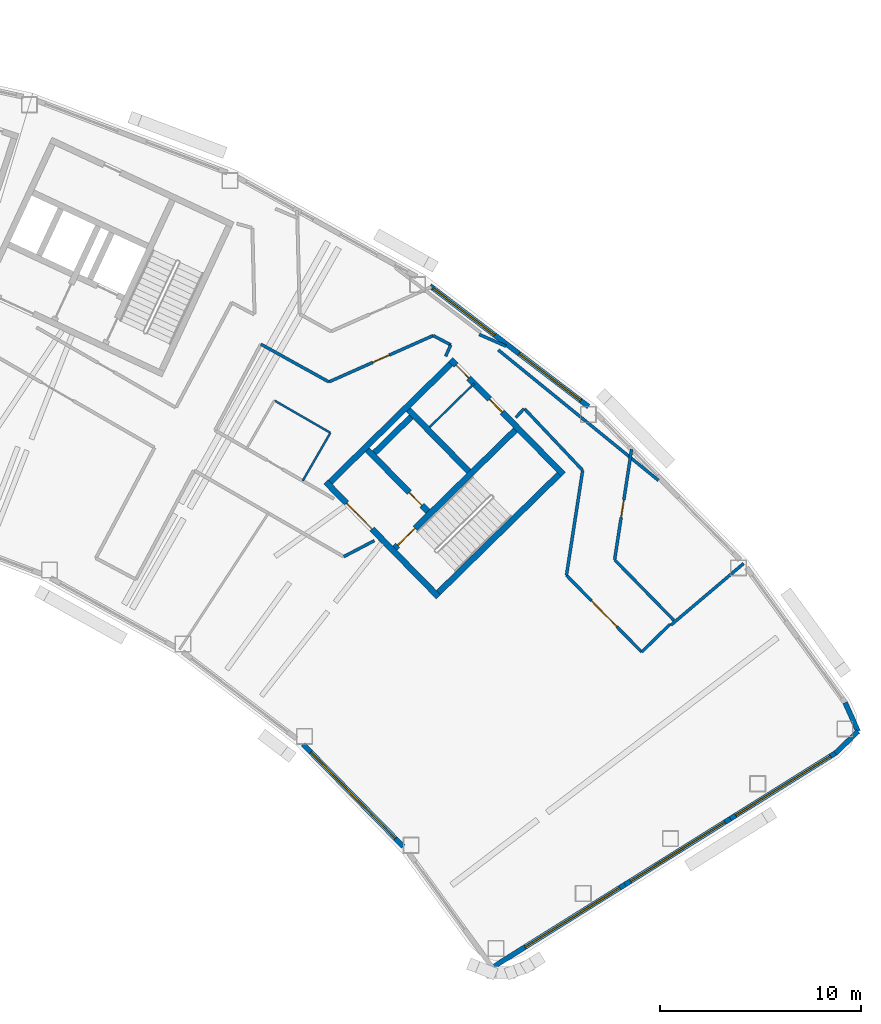
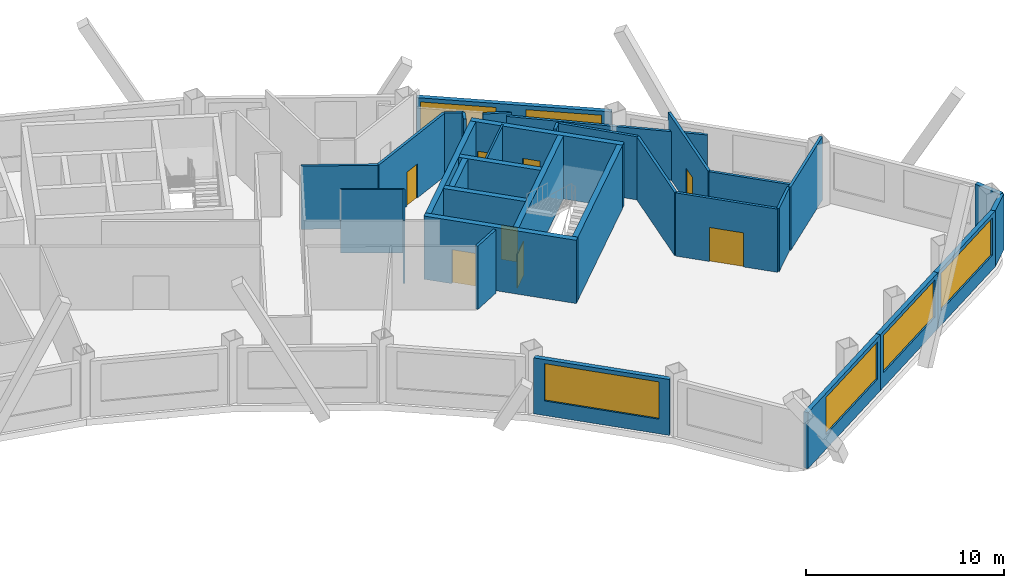
# One storey, part 8 of 13: 33 walls, 8 doors, 6 windows, 14 openings.
"""IFC4 building model written with IfcOpenShell, lengths in metres."""

from ifc_helpers import new_model, si_unit, direction, frame, frame_2d, origin, place, context, subcontext, project, spatial, rectangle, extrude, material, layer, layer_set, type_object, element, fill, save


model = new_model("IFC4")

# Units and contexts
model_context = context("Model", 3, precision=1e-05, world=origin(), true_north=direction((0.0, 1.0)))
body_context = subcontext(model_context, "Body", "Model", "MODEL_VIEW")
ifc_project = project(units=[si_unit("LENGTHUNIT", "METRE"), si_unit("AREAUNIT", "SQUARE_METRE"), si_unit("VOLUMEUNIT", "CUBIC_METRE"), si_unit("PLANEANGLEUNIT", "RADIAN"), si_unit("MASSUNIT", "GRAM", prefix="KILO")], contexts=[model_context])

# Site, building, storey
site_placement = place(None, origin())
site = spatial("IfcSite", under=ifc_project, at=site_placement, CompositionType="ELEMENT")
building_placement = place(site_placement, origin())
building = spatial("IfcBuilding", under=site, at=building_placement, Name="Tuul Gate Civic Tower", CompositionType="ELEMENT")
storey_placement = place(building_placement, frame((0.0, 0.0, 285.800048828125)))
storey = spatial("IfcBuildingStorey", under=building, at=storey_placement, Name="Level 64", CompositionType="ELEMENT", Elevation=285.800048828125)

# Wall, opening, door
ifc_material_1 = material(Name="Concrete C50/60", Category="concrete")
ifc_layer_1 = layer(ifc_material_1, 0.300048828125)
ifc_layer_set_1 = layer_set([ifc_layer_1], Name="Concrete C50/60")
wall_type_1 = type_object("IfcWallType", Name="Core wall C50/60", PredefinedType="SHEAR", material=ifc_layer_set_1)
wall_1_placement = place(storey_placement, frame((48.22509765625, -18.327880859375, 0.0), z_axis=(0.0, 0.0, 1.0), x_axis=(-0.700021979774, 0.714121297703, 0.0)))
wall_1 = element("IfcWall", 1, at=wall_1_placement, inside=storey, type_object=wall_type_1, Name="Core wall", PredefinedType="SHEAR", context=body_context, shape_type="SweptSolid", body=[
    extrude(rectangle(XDim=8.0, YDim=0.300048828125, at=frame_2d((4.0, 0.0))), origin(), (0.0, 0.0, 1.0), 3.89990234375),
])
opening_1_placement = place(wall_1_placement, frame((4.72509765625, 0.0, 0.0)))
opening_1 = element("IfcOpeningElement", 2, at=opening_1_placement, cuts=wall_1, Name="Opening LB-E1-LOBBY-1", PredefinedType="OPENING", context=body_context, shape_type="SweptSolid", body=[
    extrude(rectangle(XDim=1.800048828125, YDim=2.10009765625, at=frame_2d((0.89990234375, 1.050048828125))), frame((0.0, 0.16015625, 0.0), z_axis=(0.0, -1.0, 0.0), x_axis=(1.0, 0.0, 0.0)), (0.0, 0.0, 1.0), 0.320068359375),
])
ifc_material_2 = material(Name="Steel", Category="steel")
door_type_1 = type_object("IfcDoorType", Name="Lobby door", OperationType="DOUBLE_DOOR_SINGLE_SWING", PredefinedType="DOOR", material=ifc_material_2)
door_1_placement = place(opening_1_placement, frame((1.800048828125, 0.0, 0.0), z_axis=(0.0, 0.0, 1.0), x_axis=(-1.0, 0.0, 0.0)))
door_1 = element("IfcDoor", 3, at=door_1_placement, inside=storey, type_object=door_type_1, Name="Lobby door E1-LOBBY", OperationType="DOUBLE_DOOR_SINGLE_SWING", OverallHeight=2.10009765625, OverallWidth=1.800048828125, PredefinedType="DOOR", context=body_context, shape_type="SweptSolid", body=[
    extrude(rectangle(XDim=1.800048828125, YDim=2.10009765625, at=frame_2d((0.900146484375, 1.050048828125))), frame((0.0, 0.02490234375, 0.0), z_axis=(0.0, -1.0, 0.0), x_axis=(1.0, 0.0, 0.0)), (0.0, 0.0, 1.0), 0.050048828125),
])
fill(opening_1, door_1)

wall_2_placement = place(storey_placement, frame((47.701904296875, -14.079833984375, 0.0), z_axis=(0.0, 0.0, 1.0), x_axis=(-0.700002721075, 0.714140175657, 0.0)))
wall_2 = element("IfcWall", 4, at=wall_2_placement, inside=storey, type_object=wall_type_1, Name="Core wall", PredefinedType="SHEAR", context=body_context, shape_type="SweptSolid", body=[
    extrude(rectangle(XDim=4.300048828125, YDim=0.300048828125, at=frame_2d((2.14990234375, 0.0))), origin(), (0.0, 0.0, 1.0), 3.89990234375),
])
opening_2_placement = place(wall_2_placement, frame((0.425048828125, 0.0, 0.0)))
opening_2 = element("IfcOpeningElement", 5, at=opening_2_placement, cuts=wall_2, Name="Opening FB-E1A1", PredefinedType="OPENING", context=body_context, shape_type="SweptSolid", body=[
    extrude(rectangle(XDim=0.89990234375, YDim=2.10009765625, at=frame_2d((0.449951171875, 1.050048828125))), frame((0.0, 0.16015625, 0.0), z_axis=(0.0, -1.0, 0.0), x_axis=(1.0, 0.0, 0.0)), (0.0, 0.0, 1.0), 0.320068359375),
])
ifc_material_3 = material(Name="Steel", Category="steel")
door_type_2 = type_object("IfcDoorType", Name="Store door", OperationType="NOTDEFINED", PredefinedType="DOOR", material=ifc_material_3)
door_2_placement = place(opening_2_placement, frame((0.89990234375, 0.0, 0.0), z_axis=(0.0, 0.0, 1.0), x_axis=(-1.0, 0.0, 0.0)))
door_2 = element("IfcDoor", 6, at=door_2_placement, inside=storey, type_object=door_type_2, Name="Store door E1A1", OperationType="SINGLE_SWING_RIGHT", OverallHeight=2.10009765625, OverallWidth=0.89990234375, PredefinedType="DOOR", context=body_context, shape_type="SweptSolid", body=[
    extrude(rectangle(XDim=0.89990234375, YDim=2.10009765625, at=frame_2d((0.449951171875, 1.050048828125))), frame((0.0, 0.02490234375, 0.0), z_axis=(0.0, -1.0, 0.0), x_axis=(1.0, 0.0, 0.0)), (0.0, 0.0, 1.0), 0.050048828125),
])
fill(opening_2, door_2)

# Wall
wall_3_placement = place(storey_placement, frame((49.737060546875, -12.0849609375, 0.0), z_axis=(0.0, 0.0, 1.0), x_axis=(-0.700002721075, 0.714140175657, 0.0)))
element("IfcWall", 7, at=wall_3_placement, inside=storey, type_object=wall_type_1, Name="Core wall", PredefinedType="SHEAR", context=body_context, shape_type="SweptSolid", body=[
    extrude(rectangle(XDim=4.300048828125, YDim=0.300048828125, at=frame_2d((2.14990234375, 0.0))), origin(), (0.0, 0.0, 1.0), 3.89990234375),
])

# Wall, openings, doors
wall_4_placement = place(storey_placement, frame((54.43798828125, -12.23779296875, 0.0), z_axis=(0.0, 0.0, 1.0), x_axis=(-0.700021979774, 0.714121297703, 0.0)))
wall_4 = element("IfcWall", 8, at=wall_4_placement, inside=storey, type_object=wall_type_1, Name="Core wall", PredefinedType="SHEAR", context=body_context, shape_type="SweptSolid", body=[
    extrude(rectangle(XDim=8.0, YDim=0.300048828125, at=frame_2d((4.0, 0.0))), origin(), (0.0, 0.0, 1.0), 3.89990234375),
])
opening_3_placement = place(wall_4_placement, frame((4.34375, 0.0, 0.0)))
opening_3 = element("IfcOpeningElement", 9, at=opening_3_placement, cuts=wall_4, Name="Opening X-D21", PredefinedType="OPENING", context=body_context, shape_type="SweptSolid", body=[
    extrude(rectangle(XDim=0.89990234375, YDim=2.10009765625, at=frame_2d((0.449951171875, 1.050048828125))), frame((0.0, 0.16015625, 0.0), z_axis=(0.0, -1.0, 0.0), x_axis=(1.0, 0.0, 0.0)), (0.0, 0.0, 1.0), 0.320068359375),
])
opening_4_placement = place(wall_4_placement, frame((6.71875, 0.0, 0.0)))
opening_4 = element("IfcOpeningElement", 10, at=opening_4_placement, cuts=wall_4, Name="Opening X-D22", PredefinedType="OPENING", context=body_context, shape_type="SweptSolid", body=[
    extrude(rectangle(XDim=0.89990234375, YDim=2.10009765625, at=frame_2d((0.449951171875, 1.050048828125))), frame((0.0, 0.16015625, 0.0), z_axis=(0.0, -1.0, 0.0), x_axis=(1.0, 0.0, 0.0)), (0.0, 0.0, 1.0), 0.320068359375),
])
ifc_material_4 = material(Name="Timber door leaf", Category="wood")
door_type_3 = type_object("IfcDoorType", Name="Door D09", OperationType="NOTDEFINED", PredefinedType="DOOR", material=ifc_material_4)
door_3_placement = place(opening_3_placement, origin())
door_3 = element("IfcDoor", 11, at=door_3_placement, inside=storey, type_object=door_type_3, Name="Door X-D21", OperationType="SINGLE_SWING_LEFT", OverallHeight=2.10009765625, OverallWidth=0.89990234375, PredefinedType="DOOR", context=body_context, shape_type="SweptSolid", body=[
    extrude(rectangle(XDim=0.89990234375, YDim=2.10009765625, at=frame_2d((0.449951171875, 1.050048828125))), frame((0.0, 0.02490234375, 0.0), z_axis=(0.0, -1.0, 0.0), x_axis=(1.0, 0.0, 0.0)), (0.0, 0.0, 1.0), 0.050048828125),
])
fill(opening_3, door_3)
door_4_placement = place(opening_4_placement, origin())
door_4 = element("IfcDoor", 12, at=door_4_placement, inside=storey, type_object=door_type_3, Name="Door X-D22", OperationType="SINGLE_SWING_LEFT", OverallHeight=2.10009765625, OverallWidth=0.89990234375, PredefinedType="DOOR", context=body_context, shape_type="SweptSolid", body=[
    extrude(rectangle(XDim=0.89990234375, YDim=2.10009765625, at=frame_2d((0.449951171875, 1.050048828125))), frame((0.0, 0.02490234375, 0.0), z_axis=(0.0, -1.0, 0.0), x_axis=(1.0, 0.0, 0.0)), (0.0, 0.0, 1.0), 0.050048828125),
])
fill(opening_4, door_4)

# Wall
wall_5_placement = place(storey_placement, frame((48.227294921875, -18.115966796875, 0.0), z_axis=(0.0, 0.0, 1.0), x_axis=(0.714105315431, 0.700038283577, 0.0)))
element("IfcWall", 13, at=wall_5_placement, inside=storey, type_object=wall_type_1, Name="Core wall", PredefinedType="SHEAR", context=body_context, shape_type="SweptSolid", body=[
    extrude(rectangle(XDim=8.400146484375, YDim=0.300048828125, at=frame_2d((4.2001953125, 0.0))), origin(), (0.0, 0.0, 1.0), 3.89990234375),
])

# Wall, opening, door
wall_6_placement = place(storey_placement, frame((46.05712890625, -15.902099609375, 0.0), z_axis=(0.0, 0.0, 1.0), x_axis=(0.714134086973, 0.700008932674, 0.0)))
wall_6 = element("IfcWall", 14, at=wall_6_placement, inside=storey, type_object=wall_type_1, Name="Core wall", PredefinedType="SHEAR", context=body_context, shape_type="SweptSolid", body=[
    extrude(rectangle(XDim=8.400146484375, YDim=0.300048828125, at=frame_2d((4.2001953125, 0.0))), origin(), (0.0, 0.0, 1.0), 3.89990234375),
])
opening_5_placement = place(wall_6_placement, frame((0.199951171875, 0.0, 0.0)))
opening_5 = element("IfcOpeningElement", 15, at=opening_5_placement, cuts=wall_6, Name="Opening SD-ST-3", PredefinedType="OPENING", context=body_context, shape_type="SweptSolid", body=[
    extrude(rectangle(XDim=1.199951171875, YDim=2.10009765625, at=frame_2d((0.60009765625, 1.050048828125))), frame((0.0, 0.16015625, 0.0), z_axis=(0.0, -1.0, 0.0), x_axis=(1.0, 0.0, 0.0)), (0.0, 0.0, 1.0), 0.320068359375),
])
ifc_material_5 = material(Name="Steel", Category="steel")
door_type_4 = type_object("IfcDoorType", Name="Stair door", OperationType="NOTDEFINED", PredefinedType="DOOR", material=ifc_material_5)
door_5_placement = place(opening_5_placement, origin())
door_5 = element("IfcDoor", 16, at=door_5_placement, inside=storey, type_object=door_type_4, Name="Stair door ST-3", OperationType="SINGLE_SWING_LEFT", OverallHeight=2.10009765625, OverallWidth=1.199951171875, PredefinedType="DOOR", context=body_context, shape_type="SweptSolid", body=[
    extrude(rectangle(XDim=1.199951171875, YDim=2.10009765625, at=frame_2d((0.60009765625, 1.050048828125))), frame((0.0, 0.02490234375, 0.0), z_axis=(0.0, -1.0, 0.0), x_axis=(1.0, 0.0, 0.0)), (0.0, 0.0, 1.0), 0.050048828125),
])
fill(opening_5, door_5)

# Walls
wall_7_placement = place(storey_placement, frame((45.0439453125, -11.154052734375, 0.0), z_axis=(0.0, 0.0, 1.0), x_axis=(0.714108498262, 0.700035036773, 0.0)))
element("IfcWall", 17, at=wall_7_placement, inside=storey, type_object=wall_type_1, Name="Core wall", PredefinedType="SHEAR", context=body_context, shape_type="SweptSolid", body=[
    extrude(rectangle(XDim=2.550048828125, YDim=0.300048828125, at=frame_2d((1.27490234375, 0.0))), origin(), (0.0, 0.0, 1.0), 3.89990234375),
])
wall_8_placement = place(storey_placement, frame((42.837158203125, -12.616943359375, 0.0), z_axis=(0.0, 0.0, 1.0), x_axis=(0.714119844755, 0.700023461983, 0.0)))
element("IfcWall", 18, at=wall_8_placement, inside=storey, type_object=wall_type_1, Name="Core wall", PredefinedType="SHEAR", context=body_context, shape_type="SweptSolid", body=[
    extrude(rectangle(XDim=8.39990234375, YDim=0.300048828125, at=frame_2d((4.199951171875, 0.0))), origin(), (0.0, 0.0, 1.0), 3.89990234375),
])
ifc_material_6 = material(Name="Gypsum board partition")
ifc_layer_2 = layer(ifc_material_6, 0.14990234375)
ifc_layer_set_2 = layer_set([ifc_layer_2], Name="Gypsum board partition")
wall_type_2 = type_object("IfcWallType", Name="Corridor wall P150", PredefinedType="PARTITIONING", material=ifc_layer_set_2)
wall_9_placement = place(storey_placement, frame((58.34130859375, -21.0751953125, 0.0), z_axis=(0.0, 0.0, 1.0), x_axis=(0.714144599539, 0.699998207819, 0.0)))
element("IfcWall", 19, at=wall_9_placement, inside=storey, type_object=wall_type_2, Name="p012", PredefinedType="PARTITIONING", context=body_context, shape_type="SweptSolid", body=[
    extrude(rectangle(XDim=1.967529296875, YDim=0.14990234375, at=frame_2d((0.98388671875, 0.0))), origin(), (0.0, 0.0, 1.0), 3.89990234375),
])
wall_10_placement = place(storey_placement, frame((57.000732421875, -16.493408203125, 0.0), z_axis=(0.0, 0.0, 1.0), x_axis=(0.699996028696, -0.71414673549, 0.0)))
element("IfcWall", 20, at=wall_10_placement, inside=storey, type_object=wall_type_2, Name="p013", PredefinedType="PARTITIONING", context=body_context, shape_type="SweptSolid", body=[
    extrude(rectangle(XDim=4.209716796875, YDim=0.14990234375, at=frame_2d((2.10498046875, 0.0))), origin(), (0.0, 0.0, 1.0), 3.89990234375),
])

# Wall, opening, door
wall_11_placement = place(storey_placement, frame((56.994873046875, -16.4755859375, 0.0), z_axis=(0.0, 0.0, 1.0), x_axis=(0.152318138221, 0.988331515621, 0.0)))
wall_11 = element("IfcWall", 21, at=wall_11_placement, inside=storey, type_object=wall_type_2, Name="p014", PredefinedType="PARTITIONING", context=body_context, shape_type="SweptSolid", body=[
    extrude(rectangle(XDim=5.5537109375, YDim=0.14990234375, at=frame_2d((2.77685546875, 0.0))), origin(), (0.0, 0.0, 1.0), 3.89990234375),
])
opening_6_placement = place(wall_11_placement, frame((2.120361328125, 0.0, 0.0)))
opening_6 = element("IfcOpeningElement", 22, at=opening_6_placement, cuts=wall_11, Name="Opening X-D02", PredefinedType="OPENING", context=body_context, shape_type="SweptSolid", body=[
    extrude(rectangle(XDim=0.89990234375, YDim=2.10009765625, at=frame_2d((0.449951171875, 1.050048828125))), frame((0.0, 0.0849609375, 0.0), z_axis=(0.0, -1.0, 0.0), x_axis=(1.0, 0.0, 0.0)), (0.0, 0.0, 1.0), 0.169921875),
])
door_6_placement = place(opening_6_placement, frame((0.89990234375, 0.0, 0.0), z_axis=(0.0, 0.0, 1.0), x_axis=(-1.0, 0.0, 0.0)))
door_6 = element("IfcDoor", 23, at=door_6_placement, inside=storey, type_object=door_type_3, Name="Door X-D02", OperationType="SINGLE_SWING_LEFT", OverallHeight=2.10009765625, OverallWidth=0.89990234375, PredefinedType="DOOR", context=body_context, shape_type="SweptSolid", body=[
    extrude(rectangle(XDim=0.89990234375, YDim=2.10009765625, at=frame_2d((0.449951171875, 1.050048828125))), frame((0.0, 0.02490234375, 0.0), z_axis=(0.0, -1.0, 0.0), x_axis=(1.0, 0.0, 0.0)), (0.0, 0.0, 1.0), 0.050048828125),
])
fill(opening_6, door_6)

# Walls
wall_12_placement = place(storey_placement, frame((59.793212890625, -19.738037109375, 0.0), z_axis=(0.0, 0.0, 1.0), x_axis=(0.762859034426, 0.646564840982, 0.0)))
element("IfcWall", 24, at=wall_12_placement, inside=storey, type_object=wall_type_2, Name="p016", PredefinedType="PARTITIONING", context=body_context, shape_type="SweptSolid", body=[
    extrude(rectangle(XDim=4.744384765625, YDim=0.14990234375, at=frame_2d((2.3720703125, 0.0))), origin(), (0.0, 0.0, 1.0), 3.89990234375),
])
wall_13_placement = place(storey_placement, frame((52.0791015625, -9.403076171875, 0.0), z_axis=(0.0, 0.0, 1.0), x_axis=(0.677422888488, 0.735593794259, 0.0)))
element("IfcWall", 25, at=wall_13_placement, inside=storey, type_object=wall_type_2, Name="p044", PredefinedType="PARTITIONING", context=body_context, shape_type="SweptSolid", body=[
    extrude(rectangle(XDim=0.591796875, YDim=0.14990234375, at=frame_2d((0.2958984375, 0.0))), origin(), (0.0, 0.0, 1.0), 3.89990234375),
])
wall_14_placement = place(storey_placement, frame((52.505126953125, -8.96484375, 0.0), z_axis=(0.0, 0.0, 1.0), x_axis=(0.686843203752, -0.726805622886, 0.0)))
element("IfcWall", 26, at=wall_14_placement, inside=storey, type_object=wall_type_2, Name="p045", PredefinedType="PARTITIONING", context=body_context, shape_type="SweptSolid", body=[
    extrude(rectangle(XDim=4.209228515625, YDim=0.14990234375, at=frame_2d((2.1044921875, 0.0))), origin(), (0.0, 0.0, 1.0), 3.89990234375),
])
wall_15_placement = place(storey_placement, frame((54.597900390625, -17.256591796875, 0.0), z_axis=(0.0, 0.0, 1.0), x_axis=(0.152321427005, 0.988331008759, 0.0)))
element("IfcWall", 27, at=wall_15_placement, inside=storey, type_object=wall_type_2, Name="p046", PredefinedType="PARTITIONING", context=body_context, shape_type="SweptSolid", body=[
    extrude(rectangle(XDim=5.2763671875, YDim=0.14990234375, at=frame_2d((2.63818359375, 0.0))), origin(), (0.0, 0.0, 1.0), 3.89990234375),
])

# Wall, opening, door
wall_16_placement = place(storey_placement, frame((54.597900390625, -17.256591796875, 0.0), z_axis=(0.0, 0.0, 1.0), x_axis=(0.700040826875, -0.714102822224, 0.0)))
wall_16 = element("IfcWall", 28, at=wall_16_placement, inside=storey, type_object=wall_type_2, Name="p047", PredefinedType="PARTITIONING", context=body_context, shape_type="SweptSolid", body=[
    extrude(rectangle(XDim=5.347412109375, YDim=0.14990234375, at=frame_2d((2.673828125, 0.0))), origin(), (0.0, 0.0, 1.0), 3.89990234375),
])
opening_7_placement = place(wall_16_placement, frame((1.773681640625, 0.0, 0.0)))
opening_7 = element("IfcOpeningElement", 29, at=opening_7_placement, cuts=wall_16, Name="Opening X-D08", PredefinedType="OPENING", context=body_context, shape_type="SweptSolid", body=[
    extrude(rectangle(XDim=1.800048828125, YDim=2.10009765625, at=frame_2d((0.89990234375, 1.050048828125))), frame((0.0, 0.0849609375, 0.0), z_axis=(0.0, -1.0, 0.0), x_axis=(1.0, 0.0, 0.0)), (0.0, 0.0, 1.0), 0.169921875),
])
ifc_material_7 = material(Name="Timber door leaf, double", Category="wood")
door_type_5 = type_object("IfcDoorType", Name="Door D18", OperationType="DOUBLE_DOOR_SINGLE_SWING", PredefinedType="DOOR", material=ifc_material_7)
door_7_placement = place(opening_7_placement, frame((1.800048828125, 0.0, 0.0), z_axis=(0.0, 0.0, 1.0), x_axis=(-1.0, 0.0, 0.0)))
door_7 = element("IfcDoor", 30, at=door_7_placement, inside=storey, type_object=door_type_5, Name="Door X-D08", OperationType="DOUBLE_DOOR_SINGLE_SWING", OverallHeight=2.10009765625, OverallWidth=1.800048828125, PredefinedType="DOOR", context=body_context, shape_type="SweptSolid", body=[
    extrude(rectangle(XDim=1.800048828125, YDim=2.10009765625, at=frame_2d((0.900146484375, 1.050048828125))), frame((0.0, 0.02490234375, 0.0), z_axis=(0.0, -1.0, 0.0), x_axis=(1.0, 0.0, 0.0)), (0.0, 0.0, 1.0), 0.050048828125),
])
fill(opening_7, door_7)

# Walls
wall_17_placement = place(storey_placement, frame((43.512451171875, -16.329833984375, 0.0), z_axis=(0.0, 0.0, 1.0), x_axis=(0.885536689091, 0.464569448279, 0.0)))
element("IfcWall", 31, at=wall_17_placement, inside=storey, type_object=wall_type_2, Name="p050", PredefinedType="PARTITIONING", context=body_context, shape_type="SweptSolid", body=[
    extrude(rectangle(XDim=1.718994140625, YDim=0.14990234375, at=frame_2d((0.859375, 0.0))), origin(), (0.0, 0.0, 1.0), 3.89990234375),
])
wall_18_placement = place(storey_placement, frame((48.58447265625, -6.36181640625, 0.0), z_axis=(0.0, 0.0, 1.0), x_axis=(0.402451637343, 0.915441248579, 0.0)))
element("IfcWall", 32, at=wall_18_placement, inside=storey, type_object=wall_type_2, Name="p101", PredefinedType="PARTITIONING", context=body_context, shape_type="SweptSolid", body=[
    extrude(rectangle(XDim=0.627197265625, YDim=0.14990234375, at=frame_2d((0.3134765625, 0.0))), origin(), (0.0, 0.0, 1.0), 3.89990234375),
])
wall_19_placement = place(storey_placement, frame((47.962890625, -5.3251953125, 0.0), z_axis=(0.0, 0.0, 1.0), x_axis=(0.883920008665, -0.467638127489, 0.0)))
element("IfcWall", 33, at=wall_19_placement, inside=storey, type_object=wall_type_2, Name="p102", PredefinedType="PARTITIONING", context=body_context, shape_type="SweptSolid", body=[
    extrude(rectangle(XDim=0.98876953125, YDim=0.14990234375, at=frame_2d((0.494384765625, 0.0))), origin(), (0.0, 0.0, 1.0), 3.89990234375),
])

# Wall, opening, door
wall_20_placement = place(storey_placement, frame((42.772705078125, -7.631103515625, 0.0), z_axis=(0.0, 0.0, 1.0), x_axis=(0.913866493061, 0.406014818522, 0.0)))
wall_20 = element("IfcWall", 34, at=wall_20_placement, inside=storey, type_object=wall_type_2, Name="p103", PredefinedType="PARTITIONING", context=body_context, shape_type="SweptSolid", body=[
    extrude(rectangle(XDim=5.679443359375, YDim=0.14990234375, at=frame_2d((2.83984375, 0.0))), origin(), (0.0, 0.0, 1.0), 3.89990234375),
])
opening_8_placement = place(wall_20_placement, frame((2.3896484375, 0.0, 0.0)))
opening_8 = element("IfcOpeningElement", 35, at=opening_8_placement, cuts=wall_20, Name="Opening X-D17", PredefinedType="OPENING", context=body_context, shape_type="SweptSolid", body=[
    extrude(rectangle(XDim=0.89990234375, YDim=2.10009765625, at=frame_2d((0.449951171875, 1.050048828125))), frame((0.0, 0.0849609375, 0.0), z_axis=(0.0, -1.0, 0.0), x_axis=(1.0, 0.0, 0.0)), (0.0, 0.0, 1.0), 0.169921875),
])
door_8_placement = place(opening_8_placement, frame((0.89990234375, 0.0, 0.0), z_axis=(0.0, 0.0, 1.0), x_axis=(-1.0, 0.0, 0.0)))
door_8 = element("IfcDoor", 36, at=door_8_placement, inside=storey, type_object=door_type_3, Name="Door X-D17", OperationType="SINGLE_SWING_LEFT", OverallHeight=2.10009765625, OverallWidth=0.89990234375, PredefinedType="DOOR", context=body_context, shape_type="SweptSolid", body=[
    extrude(rectangle(XDim=0.89990234375, YDim=2.10009765625, at=frame_2d((0.449951171875, 1.050048828125))), frame((0.0, 0.02490234375, 0.0), z_axis=(0.0, -1.0, 0.0), x_axis=(1.0, 0.0, 0.0)), (0.0, 0.0, 1.0), 0.050048828125),
])
fill(opening_8, door_8)

# Walls
wall_21_placement = place(storey_placement, frame((39.38671875, -5.754150390625, 0.0), z_axis=(0.0, 0.0, 1.0), x_axis=(0.874612012193, -0.484823502036, 0.0)))
element("IfcWall", 37, at=wall_21_placement, inside=storey, type_object=wall_type_2, Name="p104", PredefinedType="PARTITIONING", context=body_context, shape_type="SweptSolid", body=[
    extrude(rectangle(XDim=3.871337890625, YDim=0.14990234375, at=frame_2d((1.935546875, 0.0))), origin(), (0.0, 0.0, 1.0), 3.89990234375),
])
ifc_material_8 = material(Name="Gypsum board partition")
ifc_layer_3 = layer(ifc_material_8, 0.14990234375)
ifc_layer_set_3 = layer_set([ifc_layer_3], Name="Gypsum board partition")
wall_type_3 = type_object("IfcWallType", Name="Corridor wall P150 3000 HIGH", PredefinedType="PARTITIONING", material=ifc_layer_set_3)
wall_22_placement = place(storey_placement, frame((50.258544921875, -5.27001953125, 0.0), z_axis=(0.0, 0.0, 1.0), x_axis=(0.915514728056, -0.402284454974, 0.0)))
element("IfcWall", 38, at=wall_22_placement, inside=storey, type_object=wall_type_3, Name="p002", PredefinedType="PARTITIONING", context=body_context, shape_type="SweptSolid", body=[
    extrude(rectangle(XDim=1.44140625, YDim=0.14990234375, at=frame_2d((0.720703125, 0.0))), origin(), (0.0, 0.0, 1.0), 3.0),
])
wall_23_placement = place(storey_placement, frame((51.200927734375, -6.038330078125, 0.0), z_axis=(0.0, 0.0, 1.0), x_axis=(0.775434697888, -0.631427770462, 0.0)))
element("IfcWall", 39, at=wall_23_placement, inside=storey, type_object=wall_type_3, Name="p004", PredefinedType="PARTITIONING", context=body_context, shape_type="SweptSolid", body=[
    extrude(rectangle(XDim=10.28564453125, YDim=0.14990234375, at=frame_2d((5.142822265625, 0.0))), origin(), (0.0, 0.0, 1.0), 3.0),
])
ifc_material_9 = material(Name="Precast concrete C40/50", Category="concrete")
ifc_layer_4 = layer(ifc_material_9, 0.25)
ifc_layer_set_4 = layer_set([ifc_layer_4], Name="Precast concrete C40/50")
wall_type_4 = type_object("IfcWallType", Name="External wall", PredefinedType="STANDARD", material=ifc_layer_set_4)
wall_24_placement = place(storey_placement, frame((67.978515625, -26.109619140625, 0.0), z_axis=(0.0, 0.0, 1.0), x_axis=(0.722172557321, 0.691712944402, 0.0)))
element("IfcWall", 40, at=wall_24_placement, inside=storey, type_object=wall_type_4, Name="External wall", PredefinedType="STANDARD", context=body_context, shape_type="SweptSolid", body=[
    extrude(rectangle(XDim=1.571044921875, YDim=0.25, at=frame_2d((0.78564453125, 0.0))), origin(), (0.0, 0.0, 1.0), 3.449951171875),
])
wall_25_placement = place(storey_placement, frame((69.113037109375, -25.02294921875, 0.0), z_axis=(0.0, 0.0, 1.0), x_axis=(-0.412385905797, 0.9110092561, 0.0)))
element("IfcWall", 41, at=wall_25_placement, inside=storey, type_object=wall_type_4, Name="External wall", PredefinedType="STANDARD", context=body_context, shape_type="SweptSolid", body=[
    extrude(rectangle(XDim=1.5712890625, YDim=0.25, at=frame_2d((0.78564453125, 0.0))), origin(), (0.0, 0.0, 1.0), 3.449951171875),
])

# Wall, openings, windows
wall_26_placement = place(storey_placement, frame((55.6962890625, -8.85888671875, 0.0), z_axis=(0.0, 0.0, 1.0), x_axis=(-0.795618728328, 0.605797688287, 0.0)))
wall_26 = element("IfcWall", 42, at=wall_26_placement, inside=storey, type_object=wall_type_4, Name="External wall", PredefinedType="STANDARD", context=body_context, shape_type="SweptSolid", body=[
    extrude(rectangle(XDim=9.91748046875, YDim=0.25, at=frame_2d((4.958740234375, 0.0))), origin(), (0.0, 0.0, 1.0), 3.449951171875),
])
opening_9_placement = place(wall_26_placement, frame((0.494140625, 0.0, 0.89990234375)))
opening_9 = element("IfcOpeningElement", 43, at=opening_9_placement, cuts=wall_26, Name="Opening W22", PredefinedType="OPENING", context=body_context, shape_type="SweptSolid", body=[
    extrude(rectangle(XDim=3.85009765625, YDim=2.300048828125, at=frame_2d((1.925048828125, 1.14990234375))), frame((0.0, 0.135009765625, 0.0), z_axis=(0.0, -1.0, 0.0), x_axis=(1.0, 0.0, 0.0)), (0.0, 0.0, 1.0), 0.27001953125),
])
opening_10_placement = place(wall_26_placement, frame((5.865478515625, 0.0, 0.89990234375)))
opening_10 = element("IfcOpeningElement", 44, at=opening_10_placement, cuts=wall_26, Name="Opening W22", PredefinedType="OPENING", context=body_context, shape_type="SweptSolid", body=[
    extrude(rectangle(XDim=3.85009765625, YDim=2.300048828125, at=frame_2d((1.925048828125, 1.14990234375))), frame((0.0, 0.135009765625, 0.0), z_axis=(0.0, -1.0, 0.0), x_axis=(1.0, 0.0, 0.0)), (0.0, 0.0, 1.0), 0.27001953125),
])
ifc_material_10 = material(Name="Glass", Category="glass")
window_type_1 = type_object("IfcWindowType", Name="Window W22 3850 x 2300", PartitioningType="SINGLE_PANEL", PredefinedType="WINDOW", material=ifc_material_10)
window_1_placement = place(opening_9_placement, origin())
window_1 = element("IfcWindow", 45, at=window_1_placement, inside=storey, type_object=window_type_1, Name="Window", OverallHeight=2.300048828125, OverallWidth=3.85009765625, PartitioningType="SINGLE_PANEL", PredefinedType="WINDOW", context=body_context, shape_type="SweptSolid", body=[
    extrude(rectangle(XDim=3.85009765625, YDim=2.300048828125, at=frame_2d((1.925048828125, 1.14990234375))), frame((0.0, 0.030029296875, 0.0), z_axis=(0.0, -1.0, 0.0), x_axis=(1.0, 0.0, 0.0)), (0.0, 0.0, 1.0), 0.06005859375),
])
fill(opening_9, window_1)
window_2_placement = place(opening_10_placement, origin())
window_2 = element("IfcWindow", 46, at=window_2_placement, inside=storey, type_object=window_type_1, Name="Window", OverallHeight=2.300048828125, OverallWidth=3.85009765625, PartitioningType="SINGLE_PANEL", PredefinedType="WINDOW", context=body_context, shape_type="SweptSolid", body=[
    extrude(rectangle(XDim=3.85009765625, YDim=2.300048828125, at=frame_2d((1.925048828125, 1.14990234375))), frame((0.0, 0.030029296875, 0.0), z_axis=(0.0, -1.0, 0.0), x_axis=(1.0, 0.0, 0.0)), (0.0, 0.0, 1.0), 0.06005859375),
])
fill(opening_10, window_2)

# Wall, opening, window
wall_27_placement = place(storey_placement, frame((41.49072265625, -25.6708984375, 0.0), z_axis=(0.0, 0.0, 1.0), x_axis=(0.700033997015, -0.714109517528, 0.0)))
wall_27 = element("IfcWall", 47, at=wall_27_placement, inside=storey, type_object=wall_type_4, Name="External wall", PredefinedType="STANDARD", context=body_context, shape_type="SweptSolid", body=[
    extrude(rectangle(XDim=7.111572265625, YDim=0.25, at=frame_2d((3.5556640625, 0.0))), origin(), (0.0, 0.0, 1.0), 3.449951171875),
])
opening_11_placement = place(wall_27_placement, frame((0.555419921875, 0.0, 0.89990234375)))
opening_11 = element("IfcOpeningElement", 48, at=opening_11_placement, cuts=wall_27, Name="Opening W26", PredefinedType="OPENING", context=body_context, shape_type="SweptSolid", body=[
    extrude(rectangle(XDim=6.0, YDim=2.300048828125, at=frame_2d((3.0, 1.14990234375))), frame((0.0, 0.135009765625, 0.0), z_axis=(0.0, -1.0, 0.0), x_axis=(1.0, 0.0, 0.0)), (0.0, 0.0, 1.0), 0.27001953125),
])
ifc_material_11 = material(Name="Glass", Category="glass")
window_type_2 = type_object("IfcWindowType", Name="Window W26 6000 x 2300", PartitioningType="SINGLE_PANEL", PredefinedType="WINDOW", material=ifc_material_11)
window_3_placement = place(opening_11_placement, origin())
window_3 = element("IfcWindow", 49, at=window_3_placement, inside=storey, type_object=window_type_2, Name="Window", OverallHeight=2.300048828125, OverallWidth=6.0, PartitioningType="SINGLE_PANEL", PredefinedType="WINDOW", context=body_context, shape_type="SweptSolid", body=[
    extrude(rectangle(XDim=6.0, YDim=2.300048828125, at=frame_2d((3.0, 1.14990234375))), frame((0.0, 0.030029296875, 0.0), z_axis=(0.0, -1.0, 0.0), x_axis=(1.0, 0.0, 0.0)), (0.0, 0.0, 1.0), 0.06005859375),
])
fill(opening_11, window_3)

wall_28_placement = place(storey_placement, frame((50.907958984375, -36.7734375, 0.0), z_axis=(0.0, 0.0, 1.0), x_axis=(0.848052898081, 0.529911579471, 0.0)))
wall_28 = element("IfcWall", 50, at=wall_28_placement, inside=storey, type_object=wall_type_4, Name="External wall", PredefinedType="STANDARD", context=body_context, shape_type="SweptSolid", body=[
    extrude(rectangle(XDim=7.78759765625, YDim=0.25, at=frame_2d((3.893798828125, 0.0))), origin(), (0.0, 0.0, 1.0), 3.449951171875),
])
opening_12_placement = place(wall_28_placement, frame((1.921142578125, 0.0, 0.89990234375)))
opening_12 = element("IfcOpeningElement", 51, at=opening_12_placement, cuts=wall_28, Name="Opening W24", PredefinedType="OPENING", context=body_context, shape_type="SweptSolid", body=[
    extrude(rectangle(XDim=5.550048828125, YDim=2.300048828125, at=frame_2d((2.77490234375, 1.14990234375))), frame((0.0, 0.135009765625, 0.0), z_axis=(0.0, -1.0, 0.0), x_axis=(1.0, 0.0, 0.0)), (0.0, 0.0, 1.0), 0.27001953125),
])
ifc_material_12 = material(Name="Glass", Category="glass")
window_type_3 = type_object("IfcWindowType", Name="Window W24 5550 x 2300", PartitioningType="SINGLE_PANEL", PredefinedType="WINDOW", material=ifc_material_12)
window_4_placement = place(opening_12_placement, origin())
window_4 = element("IfcWindow", 52, at=window_4_placement, inside=storey, type_object=window_type_3, Name="Window", OverallHeight=2.300048828125, OverallWidth=5.550048828125, PartitioningType="SINGLE_PANEL", PredefinedType="WINDOW", context=body_context, shape_type="SweptSolid", body=[
    extrude(rectangle(XDim=5.550048828125, YDim=2.300048828125, at=frame_2d((2.77490234375, 1.14990234375))), frame((0.0, 0.030029296875, 0.0), z_axis=(0.0, -1.0, 0.0), x_axis=(1.0, 0.0, 0.0)), (0.0, 0.0, 1.0), 0.06005859375),
])
fill(opening_12, window_4)

wall_29_placement = place(storey_placement, frame((57.51220703125, -32.646728515625, 0.0), z_axis=(0.0, 0.0, 1.0), x_axis=(0.848042669488, 0.529927948619, 0.0)))
wall_29 = element("IfcWall", 53, at=wall_29_placement, inside=storey, type_object=wall_type_4, Name="External wall", PredefinedType="STANDARD", context=body_context, shape_type="SweptSolid", body=[
    extrude(rectangle(XDim=6.1826171875, YDim=0.25, at=frame_2d((3.09130859375, 0.0))), origin(), (0.0, 0.0, 1.0), 3.449951171875),
])
opening_13_placement = place(wall_29_placement, frame((0.31640625, 0.0, 0.89990234375)))
opening_13 = element("IfcOpeningElement", 54, at=opening_13_placement, cuts=wall_29, Name="Opening W24", PredefinedType="OPENING", context=body_context, shape_type="SweptSolid", body=[
    extrude(rectangle(XDim=5.550048828125, YDim=2.300048828125, at=frame_2d((2.77490234375, 1.14990234375))), frame((0.0, 0.135009765625, 0.0), z_axis=(0.0, -1.0, 0.0), x_axis=(1.0, 0.0, 0.0)), (0.0, 0.0, 1.0), 0.27001953125),
])
window_5_placement = place(opening_13_placement, origin())
window_5 = element("IfcWindow", 55, at=window_5_placement, inside=storey, type_object=window_type_3, Name="Window", OverallHeight=2.300048828125, OverallWidth=5.550048828125, PartitioningType="SINGLE_PANEL", PredefinedType="WINDOW", context=body_context, shape_type="SweptSolid", body=[
    extrude(rectangle(XDim=5.550048828125, YDim=2.300048828125, at=frame_2d((2.77490234375, 1.14990234375))), frame((0.0, 0.030029296875, 0.0), z_axis=(0.0, -1.0, 0.0), x_axis=(1.0, 0.0, 0.0)), (0.0, 0.0, 1.0), 0.06005859375),
])
fill(opening_13, window_5)

wall_30_placement = place(storey_placement, frame((62.75537109375, -29.370361328125, 0.0), z_axis=(0.0, 0.0, 1.0), x_axis=(0.848053758074, 0.529910203164, 0.0)))
wall_30 = element("IfcWall", 56, at=wall_30_placement, inside=storey, type_object=wall_type_4, Name="External wall", PredefinedType="STANDARD", context=body_context, shape_type="SweptSolid", body=[
    extrude(rectangle(XDim=6.182861328125, YDim=0.25, at=frame_2d((3.09130859375, 0.0))), origin(), (0.0, 0.0, 1.0), 3.449951171875),
])
opening_14_placement = place(wall_30_placement, frame((0.31640625, 0.0, 0.89990234375)))
opening_14 = element("IfcOpeningElement", 57, at=opening_14_placement, cuts=wall_30, Name="Opening W24", PredefinedType="OPENING", context=body_context, shape_type="SweptSolid", body=[
    extrude(rectangle(XDim=5.550048828125, YDim=2.300048828125, at=frame_2d((2.77490234375, 1.14990234375))), frame((0.0, 0.135009765625, 0.0), z_axis=(0.0, -1.0, 0.0), x_axis=(1.0, 0.0, 0.0)), (0.0, 0.0, 1.0), 0.27001953125),
])
window_6_placement = place(opening_14_placement, origin())
window_6 = element("IfcWindow", 58, at=window_6_placement, inside=storey, type_object=window_type_3, Name="Window", OverallHeight=2.300048828125, OverallWidth=5.550048828125, PartitioningType="SINGLE_PANEL", PredefinedType="WINDOW", context=body_context, shape_type="SweptSolid", body=[
    extrude(rectangle(XDim=5.550048828125, YDim=2.300048828125, at=frame_2d((2.77490234375, 1.14990234375))), frame((0.0, 0.030029296875, 0.0), z_axis=(0.0, -1.0, 0.0), x_axis=(1.0, 0.0, 0.0)), (0.0, 0.0, 1.0), 0.06005859375),
])
fill(opening_14, window_6)

# Walls
ifc_material_13 = material(Name="Gypsum board partition")
ifc_layer_5 = layer(ifc_material_13, 0.10009765625)
ifc_layer_set_5 = layer_set([ifc_layer_5], Name="Gypsum board partition")
wall_type_5 = type_object("IfcWallType", Name="Partition P100", PredefinedType="PARTITIONING", material=ifc_layer_set_5)
wall_31_placement = place(storey_placement, frame((40.05859375, -8.5556640625, 0.0), z_axis=(0.0, 0.0, 1.0), x_axis=(0.866347115768, -0.499442364043, 0.0)))
element("IfcWall", 59, at=wall_31_placement, inside=storey, type_object=wall_type_5, Name="p099", PredefinedType="PARTITIONING", context=body_context, shape_type="SweptSolid", body=[
    extrude(rectangle(XDim=3.219970703125, YDim=0.10009765625, at=frame_2d((1.60986328125, 0.0))), origin(), (0.0, 0.0, 1.0), 3.89990234375),
])
wall_32_placement = place(storey_placement, frame((41.4697265625, -12.554931640625, 0.0), z_axis=(0.0, 0.0, 1.0), x_axis=(0.499431428362, 0.866353420011, 0.0)))
element("IfcWall", 60, at=wall_32_placement, inside=storey, type_object=wall_type_5, Name="p100", PredefinedType="PARTITIONING", context=body_context, shape_type="SweptSolid", body=[
    extrude(rectangle(XDim=2.760009765625, YDim=0.10009765625, at=frame_2d((1.3798828125, 0.0))), origin(), (0.0, 0.0, 1.0), 3.89990234375),
])
wall_33_placement = place(storey_placement, frame((47.787841796875, -9.882080078125, 0.0), z_axis=(0.0, 0.0, 1.0), x_axis=(0.714119924869, 0.700023380256, 0.0)))
element("IfcWall", 61, at=wall_33_placement, inside=storey, type_object=wall_type_5, Name="bE1-BAND-0", PredefinedType="PARTITIONING", context=body_context, shape_type="SweptSolid", body=[
    extrude(rectangle(XDim=3.10009765625, YDim=0.10009765625, at=frame_2d((1.550048828125, 0.0))), origin(), (0.0, 0.0, 1.0), 3.89990234375),
])

save(model, "model.ifc")
